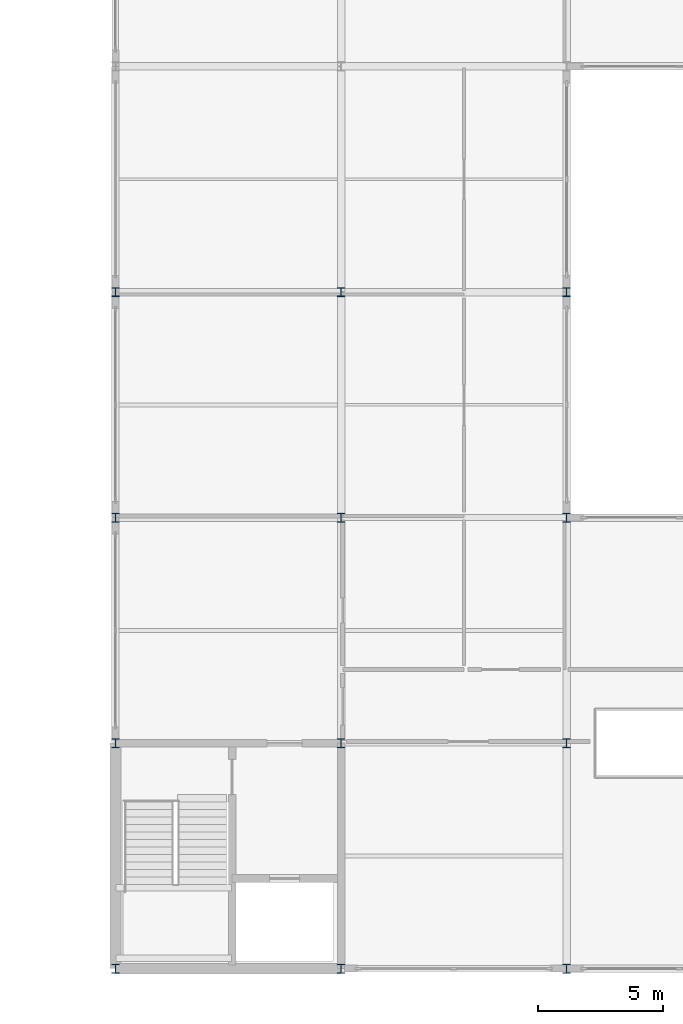
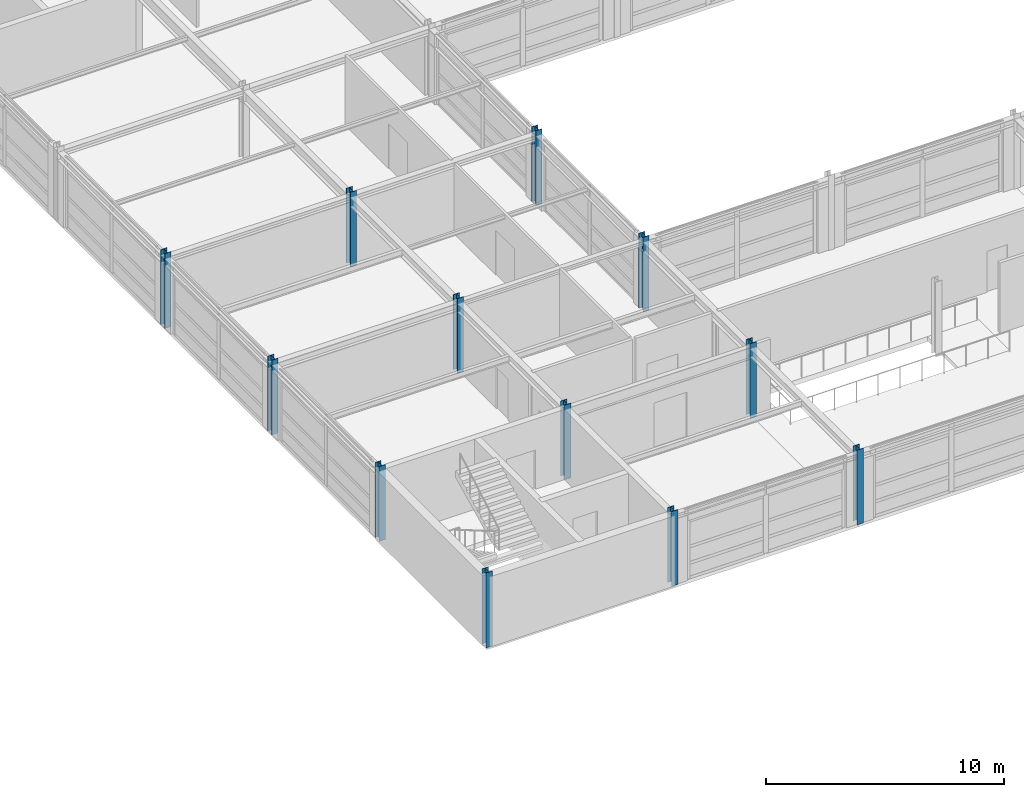
# One storey, part 5 of 79: 12 columns.
"""IFC4 building model written with IfcOpenShell, lengths in metres."""

from ifc_helpers import new_model, si_unit, direction, frame, origin, origin_2d, place, context, subcontext, project, spatial, i_section, extrude, material, material_profile, profile_set, type_object, element, save


model = new_model("IFC4")

# Units and contexts
model_context = context("Model", 3, precision=1e-05, world=origin(), true_north=direction((0.0, 1.0)))
body_context = subcontext(model_context, "Body", "Model", "MODEL_VIEW")
ifc_project = project(units=[si_unit("LENGTHUNIT", "METRE"), si_unit("AREAUNIT", "SQUARE_METRE"), si_unit("VOLUMEUNIT", "CUBIC_METRE"), si_unit("PLANEANGLEUNIT", "RADIAN"), si_unit("MASSUNIT", "GRAM", prefix="KILO")], contexts=[model_context])

# Site, building, storey
site_placement = place(None, origin())
site = spatial("IfcSite", under=ifc_project, at=site_placement, CompositionType="ELEMENT")
building_placement = place(site_placement, origin())
building = spatial("IfcBuilding", under=site, at=building_placement, Name="Palais des Congres Ocreval", CompositionType="ELEMENT")
storey_placement = place(building_placement, frame((0.0, 0.0, 4.320068359375)))
storey = spatial("IfcBuildingStorey", under=building, at=storey_placement, Name="L01", CompositionType="ELEMENT", Elevation=4.320068359375)

# Columns
ifc_material = material(Name="Steel S355", Category="steel")
ifc_material_profile = material_profile(ifc_material, i_section(OverallWidth=0.300048828125, OverallDepth=0.360107421875, WebThickness=0.012451171875, FlangeThickness=0.0224609375, at=origin_2d()), Name="HEB 360")
ifc_profile_set = profile_set([ifc_material_profile], Name="Steel S355")
column_type = type_object("IfcColumnType", Name="Column HEB 360 Steel S355", PredefinedType="COLUMN", material=ifc_profile_set)
for number, where, z_axis, x_axis, name in (
    (1, (108.0, 0.0, 0.0), (0.0, 0.0, 1.0), (1.0, 0.0, 0.0), "Column C11 L01"),
    (2, (108.0, 9.0, 0.0), (0.0, 0.0, 1.0), (1.0, 0.0, 0.0), "Column C11 L01"),
    (3, (108.0, 18.0, 0.0), (0.0, 0.0, 1.0), (1.0, 0.0, 0.0), "Column C11 L01"),
    (4, (108.0, 27.0, 0.0), (0.0, 0.0, 1.0), (1.0, 0.0, 0.0), "Column C11 L01"),
    (5, (117.0, 0.0, 0.0), (0.0, 0.0, 1.0), (1.0, 0.0, 0.0), "Column C11 L01"),
    (6, (117.0, 9.0, 0.0), (0.0, 0.0, 1.0), (1.0, 0.0, 0.0), "Column C11 L01"),
    (7, (117.0, 18.0, 0.0), (0.0, 0.0, 1.0), (1.0, 0.0, 0.0), "Column C11 L01"),
    (8, (117.0, 27.0, 0.0), (0.0, 0.0, 1.0), (1.0, 0.0, 0.0), "Column C11 L01"),
    (9, (126.0, 0.0, 0.0), (0.0, 0.0, 1.0), (1.0, 0.0, 0.0), "Column C11 L01"),
    (10, (126.0, 9.0, 0.0), (0.0, 0.0, 1.0), (1.0, 0.0, 0.0), "Column C11 L01"),
    (11, (126.0, 18.0, 0.0), (0.0, 0.0, 1.0), (1.0, 0.0, 0.0), "Column C11 L01"),
    (12, (126.0, 27.0, 0.0), (0.0, 0.0, 1.0), (1.0, 0.0, 0.0), "Column C11 L01"),
):
    element("IfcColumn", number, at=place(storey_placement, frame(where, z_axis=z_axis, x_axis=x_axis)), inside=storey, type_object=column_type, Name=name, PredefinedType="COLUMN", context=body_context, shape_type="SweptSolid", body=[
        extrude(i_section(OverallWidth=0.300048828125, OverallDepth=0.360107421875, WebThickness=0.012451171875, FlangeThickness=0.0224609375, at=origin_2d()), origin(), (0.0, 0.0, 1.0), 3.83984375),
    ])

save(model, "model.ifc")
